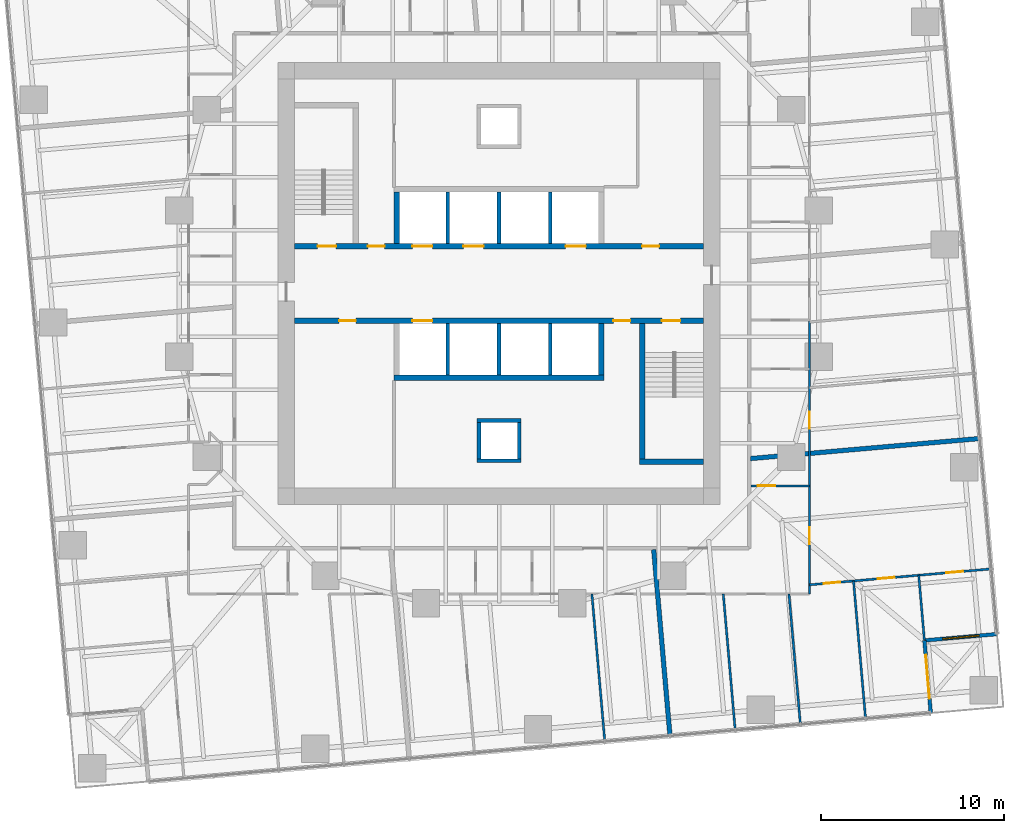
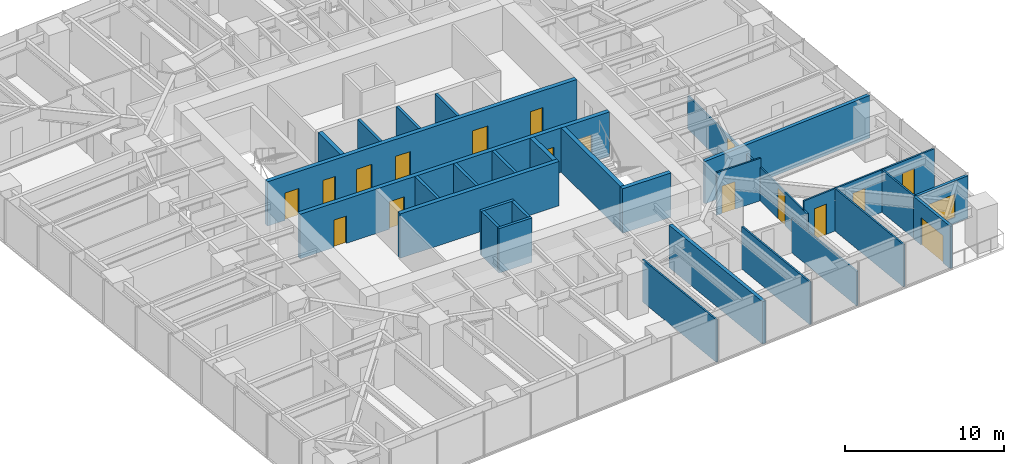
# One storey, part 10 of 14: 29 walls, 17 doors, 1 window, 18 openings.
"""IFC4 building model written with IfcOpenShell, lengths in metres."""

from ifc_helpers import new_model, si_unit, direction, frame, frame_2d, origin, place, context, subcontext, project, spatial, rectangle, extrude, material, layer, layer_set, type_object, element, fill, save


model = new_model("IFC4")

# Units and contexts
model_context = context("Model", 3, precision=1e-05, world=origin(), true_north=direction((0.0, 1.0)))
body_context = subcontext(model_context, "Body", "Model", "MODEL_VIEW")
ifc_project = project(units=[si_unit("LENGTHUNIT", "METRE"), si_unit("AREAUNIT", "SQUARE_METRE"), si_unit("VOLUMEUNIT", "CUBIC_METRE"), si_unit("PLANEANGLEUNIT", "RADIAN"), si_unit("MASSUNIT", "GRAM", prefix="KILO")], contexts=[model_context])

# Site, building, storey
site_placement = place(None, origin())
site = spatial("IfcSite", under=ifc_project, at=site_placement, CompositionType="ELEMENT")
building_placement = place(site_placement, origin())
building = spatial("IfcBuilding", under=site, at=building_placement, Name="Torsade Residences", CompositionType="ELEMENT")
storey_placement = place(building_placement, frame((0.0, 0.0, 50.60009765625)))
storey = spatial("IfcBuildingStorey", under=building, at=storey_placement, Name="L13", CompositionType="ELEMENT", Elevation=50.60009765625)

# Wall, openings, doors
ifc_material_1 = material(Name="Concrete 80 MPa", Category="concrete")
ifc_layer_1 = layer(ifc_material_1, 0.300048828125)
ifc_layer_set_1 = layer_set([ifc_layer_1], Name="Concrete 80 MPa")
wall_type_1 = type_object("IfcWallType", Name="CORE INTERNAL WALL 300", PredefinedType="SHEAR", material=ifc_layer_set_1)
wall_1_placement = place(storey_placement, frame((28.800048828125, 32.050048828125, 0.0), z_axis=(0.0, 0.0, 1.0), x_axis=(1.0, 0.0, 0.0)))
wall_1 = element("IfcWall", 1, at=wall_1_placement, inside=storey, type_object=wall_type_1, Name="Core wall LN L13", PredefinedType="SHEAR", context=body_context, shape_type="SweptSolid", body=[
    extrude(rectangle(XDim=22.39990234375, YDim=0.300048828125, at=frame_2d((11.199951171875, 0.0))), origin(), (0.0, 0.0, 1.0), 3.39990234375),
])
opening_1_placement = place(wall_1_placement, frame((19.0400390625, 0.0, 0.0)))
opening_1 = element("IfcOpeningElement", 2, at=opening_1_placement, cuts=wall_1, Name="Opening D06", PredefinedType="OPENING", context=body_context, shape_type="SweptSolid", body=[
    extrude(rectangle(XDim=0.919921875, YDim=2.10009765625, at=frame_2d((0.4599609375, 1.050048828125))), frame((0.0, 0.159912109375, 0.0), z_axis=(0.0, -1.0, 0.0), x_axis=(1.0, 0.0, 0.0)), (0.0, 0.0, 1.0), 0.320068359375),
])
opening_2_placement = place(wall_1_placement, frame((1.264892578125, 0.0, 0.0)))
opening_2 = element("IfcOpeningElement", 3, at=opening_2_placement, cuts=wall_1, Name="Opening D03", PredefinedType="OPENING", context=body_context, shape_type="SweptSolid", body=[
    extrude(rectangle(XDim=1.02001953125, YDim=2.10009765625, at=frame_2d((0.510009765625, 1.050048828125))), frame((0.0, 0.159912109375, 0.0), z_axis=(0.0, -1.0, 0.0), x_axis=(1.0, 0.0, 0.0)), (0.0, 0.0, 1.0), 0.320068359375),
])
opening_3_placement = place(wall_1_placement, frame((4.014892578125, 0.0, 0.0)))
opening_3 = element("IfcOpeningElement", 4, at=opening_3_placement, cuts=wall_1, Name="Opening D06", PredefinedType="OPENING", context=body_context, shape_type="SweptSolid", body=[
    extrude(rectangle(XDim=0.919921875, YDim=2.10009765625, at=frame_2d((0.4599609375, 1.050048828125))), frame((0.0, 0.159912109375, 0.0), z_axis=(0.0, -1.0, 0.0), x_axis=(1.0, 0.0, 0.0)), (0.0, 0.0, 1.0), 0.320068359375),
])
opening_4_placement = place(wall_1_placement, frame((6.449951171875, 0.0, 0.0)))
opening_4 = element("IfcOpeningElement", 5, at=opening_4_placement, cuts=wall_1, Name="Opening LD", PredefinedType="OPENING", context=body_context, shape_type="SweptSolid", body=[
    extrude(rectangle(XDim=1.10009765625, YDim=2.10009765625, at=frame_2d((0.550048828125, 1.050048828125))), frame((0.0, 0.159912109375, 0.0), z_axis=(0.0, -1.0, 0.0), x_axis=(1.0, 0.0, 0.0)), (0.0, 0.0, 1.0), 0.320068359375),
])
opening_5_placement = place(wall_1_placement, frame((9.25, 0.0, 0.0)))
opening_5 = element("IfcOpeningElement", 6, at=opening_5_placement, cuts=wall_1, Name="Opening LD", PredefinedType="OPENING", context=body_context, shape_type="SweptSolid", body=[
    extrude(rectangle(XDim=1.10009765625, YDim=2.10009765625, at=frame_2d((0.550048828125, 1.050048828125))), frame((0.0, 0.159912109375, 0.0), z_axis=(0.0, -1.0, 0.0), x_axis=(1.0, 0.0, 0.0)), (0.0, 0.0, 1.0), 0.320068359375),
])
opening_6_placement = place(wall_1_placement, frame((14.85009765625, 0.0, 0.0)))
opening_6 = element("IfcOpeningElement", 7, at=opening_6_placement, cuts=wall_1, Name="Opening LD", PredefinedType="OPENING", context=body_context, shape_type="SweptSolid", body=[
    extrude(rectangle(XDim=1.10009765625, YDim=2.10009765625, at=frame_2d((0.550048828125, 1.050048828125))), frame((0.0, 0.159912109375, 0.0), z_axis=(0.0, -1.0, 0.0), x_axis=(1.0, 0.0, 0.0)), (0.0, 0.0, 1.0), 0.320068359375),
])
ifc_material_2 = material(Name="Steel-framed fire door", Category="steel")
door_type_1 = type_object("IfcDoorType", Name="FIRE DOOR 1020", OperationType="NOTDEFINED", PredefinedType="DOOR", material=ifc_material_2)
door_1_placement = place(opening_2_placement, origin())
door_1 = element("IfcDoor", 8, at=door_1_placement, inside=storey, type_object=door_type_1, Name="Exit door to fire-isolated stair ST1 L13", OperationType="SINGLE_SWING_RIGHT", OverallHeight=2.10009765625, OverallWidth=1.02001953125, PredefinedType="DOOR", context=body_context, shape_type="SweptSolid", body=[
    extrude(rectangle(XDim=1.02001953125, YDim=2.10009765625, at=frame_2d((0.510009765625, 1.050048828125))), frame((0.0, 0.02490234375, 0.0), z_axis=(0.0, -1.0, 0.0), x_axis=(1.0, 0.0, 0.0)), (0.0, 0.0, 1.0), 0.050048828125),
])
fill(opening_2, door_1)
ifc_material_3 = material(Name="Steel-framed fire door", Category="steel")
door_type_2 = type_object("IfcDoorType", Name="FIRE DOOR 920", OperationType="NOTDEFINED", PredefinedType="DOOR", material=ifc_material_3)
door_2_placement = place(opening_1_placement, origin())
door_2 = element("IfcDoor", 9, at=door_2_placement, inside=storey, type_object=door_type_2, Name="Door Lift lobby to Refuse room", OperationType="SINGLE_SWING_LEFT", OverallHeight=2.10009765625, OverallWidth=0.919921875, PredefinedType="DOOR", context=body_context, shape_type="SweptSolid", body=[
    extrude(rectangle(XDim=0.919921875, YDim=2.10009765625, at=frame_2d((0.4599609375, 1.050048828125))), frame((0.0, 0.02490234375, 0.0), z_axis=(0.0, -1.0, 0.0), x_axis=(1.0, 0.0, 0.0)), (0.0, 0.0, 1.0), 0.050048828125),
])
fill(opening_1, door_2)
door_3_placement = place(opening_3_placement, origin())
door_3 = element("IfcDoor", 10, at=door_3_placement, inside=storey, type_object=door_type_2, Name="Door Lift lobby to Meter store", OperationType="SINGLE_SWING_LEFT", OverallHeight=2.10009765625, OverallWidth=0.919921875, PredefinedType="DOOR", context=body_context, shape_type="SweptSolid", body=[
    extrude(rectangle(XDim=0.919921875, YDim=2.10009765625, at=frame_2d((0.4599609375, 1.050048828125))), frame((0.0, 0.02490234375, 0.0), z_axis=(0.0, -1.0, 0.0), x_axis=(1.0, 0.0, 0.0)), (0.0, 0.0, 1.0), 0.050048828125),
])
fill(opening_3, door_3)
ifc_material_4 = material(Name="Stainless steel lift landing door", Category="steel")
door_type_3 = type_object("IfcDoorType", Name="LIFT LANDING DOOR 1100", OperationType="SLIDING_TO_LEFT", PredefinedType="DOOR", material=ifc_material_4)
door_4_placement = place(opening_4_placement, origin())
door_4 = element("IfcDoor", 11, at=door_4_placement, inside=storey, type_object=door_type_3, Name="Lift LA1 landing door L13", OperationType="SLIDING_TO_LEFT", OverallHeight=2.10009765625, OverallWidth=1.10009765625, PredefinedType="DOOR", context=body_context, shape_type="SweptSolid", body=[
    extrude(rectangle(XDim=1.10009765625, YDim=2.10009765625, at=frame_2d((0.550048828125, 1.050048828125))), frame((0.0, 0.02490234375, 0.0), z_axis=(0.0, -1.0, 0.0), x_axis=(1.0, 0.0, 0.0)), (0.0, 0.0, 1.0), 0.050048828125),
])
fill(opening_4, door_4)
door_5_placement = place(opening_5_placement, origin())
door_5 = element("IfcDoor", 12, at=door_5_placement, inside=storey, type_object=door_type_3, Name="Lift LA2 landing door L13", OperationType="SLIDING_TO_LEFT", OverallHeight=2.10009765625, OverallWidth=1.10009765625, PredefinedType="DOOR", context=body_context, shape_type="SweptSolid", body=[
    extrude(rectangle(XDim=1.10009765625, YDim=2.10009765625, at=frame_2d((0.550048828125, 1.050048828125))), frame((0.0, 0.02490234375, 0.0), z_axis=(0.0, -1.0, 0.0), x_axis=(1.0, 0.0, 0.0)), (0.0, 0.0, 1.0), 0.050048828125),
])
fill(opening_5, door_5)
door_6_placement = place(opening_6_placement, origin())
door_6 = element("IfcDoor", 13, at=door_6_placement, inside=storey, type_object=door_type_3, Name="Lift FL1 landing door L13", OperationType="SLIDING_TO_LEFT", OverallHeight=2.10009765625, OverallWidth=1.10009765625, PredefinedType="DOOR", context=body_context, shape_type="SweptSolid", body=[
    extrude(rectangle(XDim=1.10009765625, YDim=2.10009765625, at=frame_2d((0.550048828125, 1.050048828125))), frame((0.0, 0.02490234375, 0.0), z_axis=(0.0, -1.0, 0.0), x_axis=(1.0, 0.0, 0.0)), (0.0, 0.0, 1.0), 0.050048828125),
])
fill(opening_6, door_6)

wall_2_placement = place(storey_placement, frame((51.199951171875, 27.949951171875, 0.0), z_axis=(0.0, 0.0, 1.0), x_axis=(-1.0, 0.0, 0.0)))
wall_2 = element("IfcWall", 14, at=wall_2_placement, inside=storey, type_object=wall_type_1, Name="Core wall LS L13", PredefinedType="SHEAR", context=body_context, shape_type="SweptSolid", body=[
    extrude(rectangle(XDim=22.39990234375, YDim=0.300048828125, at=frame_2d((11.199951171875, 0.0))), origin(), (0.0, 0.0, 1.0), 3.39990234375),
])
opening_7_placement = place(wall_2_placement, frame((19.0400390625, 0.0, 0.0)))
opening_7 = element("IfcOpeningElement", 15, at=opening_7_placement, cuts=wall_2, Name="Opening D06", PredefinedType="OPENING", context=body_context, shape_type="SweptSolid", body=[
    extrude(rectangle(XDim=0.919921875, YDim=2.10009765625, at=frame_2d((0.4599609375, 1.050048828125))), frame((0.0, 0.159912109375, 0.0), z_axis=(0.0, -1.0, 0.0), x_axis=(1.0, 0.0, 0.0)), (0.0, 0.0, 1.0), 0.320068359375),
])
opening_8_placement = place(wall_2_placement, frame((1.264892578125, 0.0, 0.0)))
opening_8 = element("IfcOpeningElement", 16, at=opening_8_placement, cuts=wall_2, Name="Opening D03", PredefinedType="OPENING", context=body_context, shape_type="SweptSolid", body=[
    extrude(rectangle(XDim=1.02001953125, YDim=2.10009765625, at=frame_2d((0.510009765625, 1.050048828125))), frame((0.0, 0.159912109375, 0.0), z_axis=(0.0, -1.0, 0.0), x_axis=(1.0, 0.0, 0.0)), (0.0, 0.0, 1.0), 0.320068359375),
])
opening_9_placement = place(wall_2_placement, frame((4.014892578125, 0.0, 0.0)))
opening_9 = element("IfcOpeningElement", 17, at=opening_9_placement, cuts=wall_2, Name="Opening D06", PredefinedType="OPENING", context=body_context, shape_type="SweptSolid", body=[
    extrude(rectangle(XDim=0.919921875, YDim=2.10009765625, at=frame_2d((0.4599609375, 1.050048828125))), frame((0.0, 0.159912109375, 0.0), z_axis=(0.0, -1.0, 0.0), x_axis=(1.0, 0.0, 0.0)), (0.0, 0.0, 1.0), 0.320068359375),
])
opening_10_placement = place(wall_2_placement, frame((14.85009765625, 0.0, 0.0)))
opening_10 = element("IfcOpeningElement", 18, at=opening_10_placement, cuts=wall_2, Name="Opening LD", PredefinedType="OPENING", context=body_context, shape_type="SweptSolid", body=[
    extrude(rectangle(XDim=1.10009765625, YDim=2.10009765625, at=frame_2d((0.550048828125, 1.050048828125))), frame((0.0, 0.159912109375, 0.0), z_axis=(0.0, -1.0, 0.0), x_axis=(1.0, 0.0, 0.0)), (0.0, 0.0, 1.0), 0.320068359375),
])
door_7_placement = place(opening_8_placement, origin())
door_7 = element("IfcDoor", 19, at=door_7_placement, inside=storey, type_object=door_type_1, Name="Exit door to fire-isolated stair ST2 L13", OperationType="SINGLE_SWING_RIGHT", OverallHeight=2.10009765625, OverallWidth=1.02001953125, PredefinedType="DOOR", context=body_context, shape_type="SweptSolid", body=[
    extrude(rectangle(XDim=1.02001953125, YDim=2.10009765625, at=frame_2d((0.510009765625, 1.050048828125))), frame((0.0, 0.02490234375, 0.0), z_axis=(0.0, -1.0, 0.0), x_axis=(1.0, 0.0, 0.0)), (0.0, 0.0, 1.0), 0.050048828125),
])
fill(opening_8, door_7)
door_8_placement = place(opening_7_placement, origin())
door_8 = element("IfcDoor", 20, at=door_8_placement, inside=storey, type_object=door_type_2, Name="Door Lift lobby to Cleaner store", OperationType="SINGLE_SWING_LEFT", OverallHeight=2.10009765625, OverallWidth=0.919921875, PredefinedType="DOOR", context=body_context, shape_type="SweptSolid", body=[
    extrude(rectangle(XDim=0.919921875, YDim=2.10009765625, at=frame_2d((0.4599609375, 1.050048828125))), frame((0.0, 0.02490234375, 0.0), z_axis=(0.0, -1.0, 0.0), x_axis=(1.0, 0.0, 0.0)), (0.0, 0.0, 1.0), 0.050048828125),
])
fill(opening_7, door_8)
door_9_placement = place(opening_9_placement, origin())
door_9 = element("IfcDoor", 21, at=door_9_placement, inside=storey, type_object=door_type_2, Name="Door Lift lobby to Communications riser room", OperationType="SINGLE_SWING_RIGHT", OverallHeight=2.10009765625, OverallWidth=0.919921875, PredefinedType="DOOR", context=body_context, shape_type="SweptSolid", body=[
    extrude(rectangle(XDim=0.919921875, YDim=2.10009765625, at=frame_2d((0.4599609375, 1.050048828125))), frame((0.0, 0.02490234375, 0.0), z_axis=(0.0, -1.0, 0.0), x_axis=(1.0, 0.0, 0.0)), (0.0, 0.0, 1.0), 0.050048828125),
])
fill(opening_9, door_9)
door_10_placement = place(opening_10_placement, origin())
door_10 = element("IfcDoor", 22, at=door_10_placement, inside=storey, type_object=door_type_3, Name="Lift FL2 landing door L13", OperationType="SLIDING_TO_LEFT", OverallHeight=2.10009765625, OverallWidth=1.10009765625, PredefinedType="DOOR", context=body_context, shape_type="SweptSolid", body=[
    extrude(rectangle(XDim=1.10009765625, YDim=2.10009765625, at=frame_2d((0.550048828125, 1.050048828125))), frame((0.0, 0.02490234375, 0.0), z_axis=(0.0, -1.0, 0.0), x_axis=(1.0, 0.0, 0.0)), (0.0, 0.0, 1.0), 0.050048828125),
])
fill(opening_10, door_10)

# Walls
wall_3_placement = place(storey_placement, frame((45.75, 24.85009765625, 0.0), z_axis=(0.0, 0.0, 1.0), x_axis=(-1.0, 0.0, 0.0)))
element("IfcWall", 23, at=wall_3_placement, inside=storey, type_object=wall_type_1, Name="Core wall BS L13", PredefinedType="SHEAR", context=body_context, shape_type="SweptSolid", body=[
    extrude(rectangle(XDim=11.5, YDim=0.300048828125, at=frame_2d((5.75, 0.0))), origin(), (0.0, 0.0, 1.0), 3.39990234375),
])
for number, where, z_axis, x_axis, name in (
    (24, (34.39990234375, 32.199951171875, 0.0), (0.0, 0.0, 1.0), (0.0, 1.0, 0.0), "Core wall DN0 L13"),
    (25, (45.60009765625, 27.800048828125, 0.0), (0.0, 0.0, 1.0), (0.0, -1.0, 0.0), "Core wall DS0 L13"),
):
    element("IfcWall", number, at=place(storey_placement, frame(where, z_axis=z_axis, x_axis=x_axis)), inside=storey, type_object=wall_type_1, Name=name, PredefinedType="SHEAR", context=body_context, shape_type="SweptSolid", body=[
        extrude(rectangle(XDim=2.800048828125, YDim=0.300048828125, at=frame_2d((1.39990234375, 0.0))), origin(), (0.0, 0.0, 1.0), 3.39990234375),
    ])
wall_4_placement = place(storey_placement, frame((47.85009765625, 27.800048828125, 0.0), z_axis=(0.0, 0.0, 1.0), x_axis=(0.0, -1.0, 0.0)))
element("IfcWall", 26, at=wall_4_placement, inside=storey, type_object=wall_type_1, Name="Core wall ST2W L13", PredefinedType="SHEAR", context=body_context, shape_type="SweptSolid", body=[
    extrude(rectangle(XDim=7.699951171875, YDim=0.300048828125, at=frame_2d((3.85009765625, 0.0))), origin(), (0.0, 0.0, 1.0), 3.39990234375),
])
wall_5_placement = place(storey_placement, frame((51.199951171875, 20.25, 0.0), z_axis=(0.0, 0.0, 1.0), x_axis=(-1.0, 0.0, 0.0)))
element("IfcWall", 27, at=wall_5_placement, inside=storey, type_object=wall_type_1, Name="Core wall ST2S L13", PredefinedType="SHEAR", context=body_context, shape_type="SweptSolid", body=[
    extrude(rectangle(XDim=3.5, YDim=0.300048828125, at=frame_2d((1.75, 0.0))), origin(), (0.0, 0.0, 1.0), 3.39990234375),
])
ifc_material_5 = material(Name="Reinforced blockwork", Category="masonry")
ifc_layer_2 = layer(ifc_material_5, 0.199951171875)
ifc_layer_set_2 = layer_set([ifc_layer_2], Name="Reinforced blockwork")
wall_type_2 = type_object("IfcWallType", Name="LIFT SHAFT DIVIDING WALL 200", PredefinedType="SOLIDWALL", material=ifc_layer_set_2)
for number, where, z_axis, x_axis, name in (
    (28, (37.199951171875, 32.199951171875, 0.0), (0.0, 0.0, 1.0), (0.0, 1.0, 0.0), "Core wall DN1 L13"),
    (29, (42.800048828125, 27.800048828125, 0.0), (0.0, 0.0, 1.0), (0.0, -1.0, 0.0), "Core wall DS1 L13"),
    (30, (40.0, 32.199951171875, 0.0), (0.0, 0.0, 1.0), (0.0, 1.0, 0.0), "Core wall DN2 L13"),
    (31, (40.0, 27.800048828125, 0.0), (0.0, 0.0, 1.0), (0.0, -1.0, 0.0), "Core wall DS2 L13"),
    (32, (42.800048828125, 32.199951171875, 0.0), (0.0, 0.0, 1.0), (0.0, 1.0, 0.0), "Core wall DN3 L13"),
    (33, (37.199951171875, 27.800048828125, 0.0), (0.0, 0.0, 1.0), (0.0, -1.0, 0.0), "Core wall DS3 L13"),
):
    element("IfcWall", number, at=place(storey_placement, frame(where, z_axis=z_axis, x_axis=x_axis)), inside=storey, type_object=wall_type_2, Name=name, PredefinedType="SOLIDWALL", context=body_context, shape_type="SweptSolid", body=[
        extrude(rectangle(XDim=2.800048828125, YDim=0.199951171875, at=frame_2d((1.39990234375, 0.0))), origin(), (0.0, 0.0, 1.0), 3.39990234375),
    ])
ifc_material_6 = material(Name="Plasterboard on steel stud", Category="steel")
ifc_layer_3 = layer(ifc_material_6, 0.1201171875)
ifc_layer_set_3 = layer_set([ifc_layer_3], Name="Plasterboard on steel stud")
wall_type_3 = type_object("IfcWallType", Name="PARTITION 120", PredefinedType="PARTITIONING", material=ifc_layer_set_3)
wall_6_placement = place(storey_placement, frame((45.084228515625, 13.0, 0.0), z_axis=(0.0, 0.0, 1.0), x_axis=(0.087184938313, -0.99619214338, 0.0)))
element("IfcWall", 34, at=wall_6_placement, inside=storey, type_object=wall_type_3, Name="Partition L13", PredefinedType="PARTITIONING", context=body_context, shape_type="SweptSolid", body=[
    extrude(rectangle(XDim=8.08154296875, YDim=0.1201171875, at=frame_2d((4.040771484375, 0.0))), origin(), (0.0, 0.0, 1.0), 3.25),
])

# Wall, opening, door
wall_7_placement = place(storey_placement, frame((53.800048828125, 18.917724609375, 0.0), z_axis=(0.0, 0.0, 1.0), x_axis=(1.0, 0.0, 0.0)))
wall_7 = element("IfcWall", 35, at=wall_7_placement, inside=storey, type_object=wall_type_3, Name="Partition L13", PredefinedType="PARTITIONING", context=body_context, shape_type="SweptSolid", body=[
    extrude(rectangle(XDim=3.199951171875, YDim=0.1201171875, at=frame_2d((1.60009765625, 0.0))), origin(), (0.0, 0.0, 1.0), 3.25),
])
opening_11_placement = place(wall_7_placement, frame((0.3701171875, 0.0, 0.0)))
opening_11 = element("IfcOpeningElement", 36, at=opening_11_placement, cuts=wall_7, Name="Opening D05", PredefinedType="OPENING", context=body_context, shape_type="SweptSolid", body=[
    extrude(rectangle(XDim=0.9599609375, YDim=2.10009765625, at=frame_2d((0.47998046875, 1.050048828125))), frame((0.0, 0.070068359375, 0.0), z_axis=(0.0, -1.0, 0.0), x_axis=(1.0, 0.0, 0.0)), (0.0, 0.0, 1.0), 0.14013671875),
])
ifc_material_7 = material(Name="Hollow-core timber door in a steel cavity frame", Category="steel")
door_type_4 = type_object("IfcDoorType", Name="BATHROOM CAVITY SLIDING DOOR 960", OperationType="SLIDING_TO_LEFT", PredefinedType="DOOR", material=ifc_material_7)
door_11_placement = place(opening_11_placement, origin())
door_11 = element("IfcDoor", 37, at=door_11_placement, inside=storey, type_object=door_type_4, Name="Door Kitchen and dining to Bathroom", OperationType="SLIDING_TO_LEFT", OverallHeight=2.10009765625, OverallWidth=0.9599609375, PredefinedType="DOOR", context=body_context, shape_type="SweptSolid", body=[
    extrude(rectangle(XDim=0.9599609375, YDim=2.10009765625, at=frame_2d((0.47998046875, 1.050048828125))), frame((0.0, 0.02490234375, 0.0), z_axis=(0.0, -1.0, 0.0), x_axis=(1.0, 0.0, 0.0)), (0.0, 0.0, 1.0), 0.050048828125),
])
fill(opening_11, door_11)

# Wall, openings, doors
wall_8_placement = place(storey_placement, frame((57.0, 27.9404296875, 0.0), z_axis=(0.0, 0.0, 1.0), x_axis=(0.0, -1.0, 0.0)))
wall_8 = element("IfcWall", 38, at=wall_8_placement, inside=storey, type_object=wall_type_3, Name="Partition L13", PredefinedType="PARTITIONING", context=body_context, shape_type="SweptSolid", body=[
    extrude(rectangle(XDim=14.9404296875, YDim=0.1201171875, at=frame_2d((7.47021484375, 0.0))), origin(), (0.0, 0.0, 1.0), 2.5498046875),
])
opening_12_placement = place(wall_8_placement, frame((4.960693359375, 0.0, 0.0)))
opening_12 = element("IfcOpeningElement", 39, at=opening_12_placement, cuts=wall_8, Name="Opening D02", PredefinedType="OPENING", context=body_context, shape_type="SweptSolid", body=[
    extrude(rectangle(XDim=0.919921875, YDim=2.340087890625, at=frame_2d((0.4599609375, 1.169921875))), frame((0.0, 0.070068359375, 0.0), z_axis=(0.0, -1.0, 0.0), x_axis=(1.0, 0.0, 0.0)), (0.0, 0.0, 1.0), 0.14013671875),
])
opening_13_placement = place(wall_8_placement, frame((11.295654296875, 0.0, 0.0)))
opening_13 = element("IfcOpeningElement", 40, at=opening_13_placement, cuts=wall_8, Name="Opening D02", PredefinedType="OPENING", context=body_context, shape_type="SweptSolid", body=[
    extrude(rectangle(XDim=0.919921875, YDim=2.340087890625, at=frame_2d((0.4599609375, 1.169921875))), frame((0.0, 0.070068359375, 0.0), z_axis=(0.0, -1.0, 0.0), x_axis=(1.0, 0.0, 0.0)), (0.0, 0.0, 1.0), 0.14013671875),
])
ifc_material_8 = material(Name="Hollow-core timber door", Category="wood")
door_type_5 = type_object("IfcDoorType", Name="INTERNAL DOOR 920x2340", OperationType="NOTDEFINED", PredefinedType="DOOR", material=ifc_material_8)
door_12_placement = place(opening_12_placement, origin())
door_12 = element("IfcDoor", 41, at=door_12_placement, inside=storey, type_object=door_type_5, Name="Door Kitchen and dining to Living room", OperationType="SINGLE_SWING_LEFT", OverallHeight=2.340087890625, OverallWidth=0.919921875, PredefinedType="DOOR", context=body_context, shape_type="SweptSolid", body=[
    extrude(rectangle(XDim=0.919921875, YDim=2.340087890625, at=frame_2d((0.4599609375, 1.169921875))), frame((0.0, 0.02490234375, 0.0), z_axis=(0.0, -1.0, 0.0), x_axis=(1.0, 0.0, 0.0)), (0.0, 0.0, 1.0), 0.050048828125),
])
fill(opening_12, door_12)
door_13_placement = place(opening_13_placement, origin())
door_13 = element("IfcDoor", 42, at=door_13_placement, inside=storey, type_object=door_type_5, Name="Door Kitchen and dining to Living room", OperationType="SINGLE_SWING_RIGHT", OverallHeight=2.340087890625, OverallWidth=0.919921875, PredefinedType="DOOR", context=body_context, shape_type="SweptSolid", body=[
    extrude(rectangle(XDim=0.919921875, YDim=2.340087890625, at=frame_2d((0.4599609375, 1.169921875))), frame((0.0, 0.02490234375, 0.0), z_axis=(0.0, -1.0, 0.0), x_axis=(1.0, 0.0, 0.0)), (0.0, 0.0, 1.0), 0.050048828125),
])
fill(opening_13, door_13)

wall_9_placement = place(storey_placement, frame((66.924560546875, 14.37060546875, 0.0), z_axis=(0.0, 0.0, 1.0), x_axis=(-0.996193637696, -0.087167862274, 0.0)))
wall_9 = element("IfcWall", 43, at=wall_9_placement, inside=storey, type_object=wall_type_3, Name="Partition L13", PredefinedType="PARTITIONING", context=body_context, shape_type="SweptSolid", body=[
    extrude(rectangle(XDim=9.96240234375, YDim=0.1201171875, at=frame_2d((4.981201171875, 0.0))), origin(), (0.0, 0.0, 1.0), 3.25),
])
opening_14_placement = place(wall_9_placement, frame((1.525146484375, 0.0, 0.0)))
opening_14 = element("IfcOpeningElement", 44, at=opening_14_placement, cuts=wall_9, Name="Opening D02", PredefinedType="OPENING", context=body_context, shape_type="SweptSolid", body=[
    extrude(rectangle(XDim=0.919921875, YDim=2.340087890625, at=frame_2d((0.4599609375, 1.169921875))), frame((0.0, 0.070068359375, 0.0), z_axis=(0.0, -1.0, 0.0), x_axis=(1.0, 0.0, 0.0)), (0.0, 0.0, 1.0), 0.14013671875),
])
opening_15_placement = place(wall_9_placement, frame((5.291748046875, 0.0, 0.0)))
opening_15 = element("IfcOpeningElement", 45, at=opening_15_placement, cuts=wall_9, Name="Opening D02", PredefinedType="OPENING", context=body_context, shape_type="SweptSolid", body=[
    extrude(rectangle(XDim=0.919921875, YDim=2.340087890625, at=frame_2d((0.4599609375, 1.169921875))), frame((0.0, 0.070068359375, 0.0), z_axis=(0.0, -1.0, 0.0), x_axis=(1.0, 0.0, 0.0)), (0.0, 0.0, 1.0), 0.14013671875),
])
opening_16_placement = place(wall_9_placement, frame((8.267822265625, 0.0, 0.0)))
opening_16 = element("IfcOpeningElement", 46, at=opening_16_placement, cuts=wall_9, Name="Opening D02", PredefinedType="OPENING", context=body_context, shape_type="SweptSolid", body=[
    extrude(rectangle(XDim=0.919921875, YDim=2.340087890625, at=frame_2d((0.4599609375, 1.169921875))), frame((0.0, 0.070068359375, 0.0), z_axis=(0.0, -1.0, 0.0), x_axis=(1.0, 0.0, 0.0)), (0.0, 0.0, 1.0), 0.14013671875),
])
door_14_placement = place(opening_14_placement, origin())
door_14 = element("IfcDoor", 47, at=door_14_placement, inside=storey, type_object=door_type_5, Name="Door Living room to Media room", OperationType="SINGLE_SWING_RIGHT", OverallHeight=2.340087890625, OverallWidth=0.919921875, PredefinedType="DOOR", context=body_context, shape_type="SweptSolid", body=[
    extrude(rectangle(XDim=0.919921875, YDim=2.340087890625, at=frame_2d((0.4599609375, 1.169921875))), frame((0.0, 0.02490234375, 0.0), z_axis=(0.0, -1.0, 0.0), x_axis=(1.0, 0.0, 0.0)), (0.0, 0.0, 1.0), 0.050048828125),
])
fill(opening_14, door_14)
door_15_placement = place(opening_15_placement, origin())
door_15 = element("IfcDoor", 48, at=door_15_placement, inside=storey, type_object=door_type_5, Name="Door Living room to Bedroom 2", OperationType="SINGLE_SWING_LEFT", OverallHeight=2.340087890625, OverallWidth=0.919921875, PredefinedType="DOOR", context=body_context, shape_type="SweptSolid", body=[
    extrude(rectangle(XDim=0.919921875, YDim=2.340087890625, at=frame_2d((0.4599609375, 1.169921875))), frame((0.0, 0.02490234375, 0.0), z_axis=(0.0, -1.0, 0.0), x_axis=(1.0, 0.0, 0.0)), (0.0, 0.0, 1.0), 0.050048828125),
])
fill(opening_15, door_15)
door_16_placement = place(opening_16_placement, origin())
door_16 = element("IfcDoor", 49, at=door_16_placement, inside=storey, type_object=door_type_5, Name="Door Living room to Study", OperationType="SINGLE_SWING_LEFT", OverallHeight=2.340087890625, OverallWidth=0.919921875, PredefinedType="DOOR", context=body_context, shape_type="SweptSolid", body=[
    extrude(rectangle(XDim=0.919921875, YDim=2.340087890625, at=frame_2d((0.4599609375, 1.169921875))), frame((0.0, 0.02490234375, 0.0), z_axis=(0.0, -1.0, 0.0), x_axis=(1.0, 0.0, 0.0)), (0.0, 0.0, 1.0), 0.050048828125),
])
fill(opening_16, door_16)

# Walls
wall_10_placement = place(storey_placement, frame((52.2783203125, 13.0, 0.0), z_axis=(0.0, 0.0, 1.0), x_axis=(0.087148261987, -0.996195352545, 0.0)))
element("IfcWall", 50, at=wall_10_placement, inside=storey, type_object=wall_type_3, Name="Partition L13", PredefinedType="PARTITIONING", context=body_context, shape_type="SweptSolid", body=[
    extrude(rectangle(XDim=7.45458984375, YDim=0.1201171875, at=frame_2d((3.727294921875, 0.0))), origin(), (0.0, 0.0, 1.0), 3.25),
])
wall_11_placement = place(storey_placement, frame((60.0673828125, 6.198486328125, 0.0), z_axis=(0.0, 0.0, 1.0), x_axis=(-0.087161730761, 0.99619417419, 0.0)))
element("IfcWall", 51, at=wall_11_placement, inside=storey, type_object=wall_type_3, Name="Partition L13", PredefinedType="PARTITIONING", context=body_context, shape_type="SweptSolid", body=[
    extrude(rectangle(XDim=7.543212890625, YDim=0.1201171875, at=frame_2d((3.771484375, 0.0))), origin(), (0.0, 0.0, 1.0), 3.25),
])
wall_12_placement = place(storey_placement, frame((62.979736328125, 14.025390625, 0.0), z_axis=(0.0, 0.0, 1.0), x_axis=(0.087161821847, -0.996194166221, 0.0)))
element("IfcWall", 52, at=wall_12_placement, inside=storey, type_object=wall_type_3, Name="Partition L13", PredefinedType="PARTITIONING", context=body_context, shape_type="SweptSolid", body=[
    extrude(rectangle(XDim=3.543212890625, YDim=0.1201171875, at=frame_2d((1.771484375, 0.0))), origin(), (0.0, 0.0, 1.0), 3.25),
])
wall_13_placement = place(storey_placement, frame((56.497802734375, 5.88623046875, 0.0), z_axis=(0.0, 0.0, 1.0), x_axis=(-0.087147441029, 0.996195424363, 0.0)))
element("IfcWall", 53, at=wall_13_placement, inside=storey, type_object=wall_type_3, Name="Partition L13", PredefinedType="PARTITIONING", context=body_context, shape_type="SweptSolid", body=[
    extrude(rectangle(XDim=7.140869140625, YDim=0.1201171875, at=frame_2d((3.5703125, 0.0))), origin(), (0.0, 0.0, 1.0), 2.637939453125),
])
ifc_material_9 = material(Name="Masonry-lined stud party wall", Category="masonry")
ifc_layer_4 = layer(ifc_material_9, 0.25)
ifc_layer_set_4 = layer_set([ifc_layer_4], Name="Masonry-lined stud party wall")
wall_type_4 = type_object("IfcWallType", Name="PARTY WALL 250", PredefinedType="PARTITIONING", material=ifc_layer_set_4)
wall_14_placement = place(storey_placement, frame((49.36181640625, 5.2216796875, 0.0), z_axis=(0.0, 0.0, 1.0), x_axis=(-0.087160151988, 0.996194312323, 0.0)))
element("IfcWall", 54, at=wall_14_placement, inside=storey, type_object=wall_type_4, Name="Party wall L13", PredefinedType="PARTITIONING", context=body_context, shape_type="SweptSolid", body=[
    extrude(rectangle(XDim=10.246337890625, YDim=0.25, at=frame_2d((5.123046875, 0.0))), origin(), (0.0, 0.0, 1.0), 3.25),
])
wall_15_placement = place(storey_placement, frame((66.33984375, 21.513427734375, 0.0), z_axis=(0.0, 0.0, 1.0), x_axis=(-0.996194851608, -0.087153988028, 0.0)))
element("IfcWall", 55, at=wall_15_placement, inside=storey, type_object=wall_type_4, Name="Party wall L13", PredefinedType="PARTITIONING", context=body_context, shape_type="SweptSolid", body=[
    extrude(rectangle(XDim=12.616943359375, YDim=0.25, at=frame_2d((6.30859375, 0.0))), origin(), (0.0, 0.0, 1.0), 3.25),
])
ifc_material_10 = material(Name="Reinforced blockwork", Category="masonry")
ifc_layer_5 = layer(ifc_material_10, 0.199951171875)
ifc_layer_set_5 = layer_set([ifc_layer_5], Name="Reinforced blockwork")
wall_type_5 = type_object("IfcWallType", Name="RISER SHAFT WALL 200", PredefinedType="SOLIDWALL", material=ifc_layer_set_5)
for number, where, z_axis, x_axis, name in (
    (56, (38.89990234375, 22.39990234375, 0.0), (0.0, 0.0, 1.0), (0.0, -1.0, 0.0), "Core wall RS2a L13"),
    (57, (41.10009765625, 22.39990234375, 0.0), (0.0, 0.0, 1.0), (0.0, -1.0, 0.0), "Core wall RS2b L13"),
):
    element("IfcWall", number, at=place(storey_placement, frame(where, z_axis=z_axis, x_axis=x_axis)), inside=storey, type_object=wall_type_5, Name=name, PredefinedType="SOLIDWALL", context=body_context, shape_type="SweptSolid", body=[
        extrude(rectangle(XDim=2.0, YDim=0.199951171875, at=frame_2d((1.0, 0.0))), origin(), (0.0, 0.0, 1.0), 3.39990234375),
    ])
for number, where, z_axis, x_axis, name in (
    (58, (38.800048828125, 22.5, 0.0), (0.0, 0.0, 1.0), (1.0, 0.0, 0.0), "Core wall RS2c L13"),
    (59, (38.800048828125, 20.300048828125, 0.0), (0.0, 0.0, 1.0), (1.0, 0.0, 0.0), "Core wall RS2d L13"),
):
    element("IfcWall", number, at=place(storey_placement, frame(where, z_axis=z_axis, x_axis=x_axis)), inside=storey, type_object=wall_type_5, Name=name, PredefinedType="SOLIDWALL", context=body_context, shape_type="SweptSolid", body=[
        extrude(rectangle(XDim=2.39990234375, YDim=0.199951171875, at=frame_2d((1.199951171875, 0.0))), origin(), (0.0, 0.0, 1.0), 3.39990234375),
    ])

# Wall, opening, door
ifc_material_11 = material(Name="Stone-faced precast concrete 40 MPa panel", Category="masonry")
ifc_layer_6 = layer(ifc_material_11, 0.199951171875)
ifc_layer_set_6 = layer_set([ifc_layer_6], Name="Stone-faced precast concrete 40 MPa panel")
wall_type_6 = type_object("IfcWallType", Name="TERRACE WALL 200", PredefinedType="SOLIDWALL", material=ifc_layer_set_6)
wall_16_placement = place(storey_placement, frame((63.640625, 6.470947265625, 0.0), z_axis=(0.0, 0.0, 1.0), x_axis=(-0.087161650072, 0.99619418125, 0.0)))
wall_16 = element("IfcWall", 60, at=wall_16_placement, inside=storey, type_object=wall_type_6, Name="Terrace wall L13 2", PredefinedType="SOLIDWALL", context=body_context, shape_type="SweptSolid", body=[
    extrude(rectangle(XDim=3.999755859375, YDim=0.199951171875, at=frame_2d((2.0, 0.0))), origin(), (0.0, 0.0, 1.0), 3.25),
])
opening_17_placement = place(wall_16_placement, frame((0.800048828125, 0.0, 0.0)))
opening_17 = element("IfcOpeningElement", 61, at=opening_17_placement, cuts=wall_16, Name="Opening D10A", PredefinedType="OPENING", context=body_context, shape_type="SweptSolid", body=[
    extrude(rectangle(XDim=2.39990234375, YDim=2.10009765625, at=frame_2d((1.199951171875, 1.050048828125))), frame((0.0, 0.10986328125, 0.0), z_axis=(0.0, -1.0, 0.0), x_axis=(1.0, 0.0, 0.0)), (0.0, 0.0, 1.0), 0.219970703125),
])
ifc_material_12 = material(Name="Aluminium-framed glass door", Category="aluminium")
door_type_6 = type_object("IfcDoorType", Name="TERRACE SLIDING DOOR 2400x2100", OperationType="SLIDING_TO_LEFT", PredefinedType="DOOR", material=ifc_material_12)
door_17_placement = place(opening_17_placement, origin())
door_17 = element("IfcDoor", 62, at=door_17_placement, inside=storey, type_object=door_type_6, Name="Terrace door L13 2", OperationType="SLIDING_TO_LEFT", OverallHeight=2.10009765625, OverallWidth=2.39990234375, PredefinedType="DOOR", context=body_context, shape_type="SweptSolid", body=[
    extrude(rectangle(XDim=2.39990234375, YDim=2.10009765625, at=frame_2d((1.199951171875, 1.050048828125))), frame((0.0, 0.02490234375, 0.0), z_axis=(0.0, -1.0, 0.0), x_axis=(1.0, 0.0, 0.0)), (0.0, 0.0, 1.0), 0.050048828125),
])
fill(opening_17, door_17)

# Wall, opening, window
wall_17_placement = place(storey_placement, frame((63.2919921875, 10.45556640625, 0.0), z_axis=(0.0, 0.0, 1.0), x_axis=(0.99619464492, 0.087156350505, 0.0)))
wall_17 = element("IfcWall", 63, at=wall_17_placement, inside=storey, type_object=wall_type_6, Name="Terrace wall L13 3", PredefinedType="SOLIDWALL", context=body_context, shape_type="SweptSolid", body=[
    extrude(rectangle(XDim=4.0, YDim=0.199951171875, at=frame_2d((2.0, 0.0))), origin(), (0.0, 0.0, 1.0), 3.25),
])
opening_18_placement = place(wall_17_placement, frame((1.0, 0.0, 0.449951171875)))
opening_18 = element("IfcOpeningElement", 64, at=opening_18_placement, cuts=wall_17, Name="Opening W1B", PredefinedType="OPENING", context=body_context, shape_type="SweptSolid", body=[
    extrude(rectangle(XDim=2.0, YDim=1.800048828125, at=frame_2d((1.0, 0.89990234375))), frame((0.0, 0.10986328125, 0.0), z_axis=(0.0, -1.0, 0.0), x_axis=(1.0, 0.0, 0.0)), (0.0, 0.0, 1.0), 0.219970703125),
])
ifc_material_13 = material(Name="Aluminium-framed glass window", Category="aluminium")
window_type = type_object("IfcWindowType", Name="TERRACE WINDOW 2000x1800", PartitioningType="SINGLE_PANEL", PredefinedType="WINDOW", material=ifc_material_13)
window_placement = place(opening_18_placement, origin())
window = element("IfcWindow", 65, at=window_placement, inside=storey, type_object=window_type, Name="Terrace window L13 3", OverallHeight=1.800048828125, OverallWidth=2.0, PartitioningType="SINGLE_PANEL", PredefinedType="WINDOW", context=body_context, shape_type="SweptSolid", body=[
    extrude(rectangle(XDim=2.0, YDim=1.800048828125, at=frame_2d((1.0, 0.89990234375))), frame((0.0, 0.030029296875, 0.0), z_axis=(0.0, -1.0, 0.0), x_axis=(1.0, 0.0, 0.0)), (0.0, 0.0, 1.0), 0.06005859375),
])
fill(opening_18, window)

save(model, "model.ifc")
